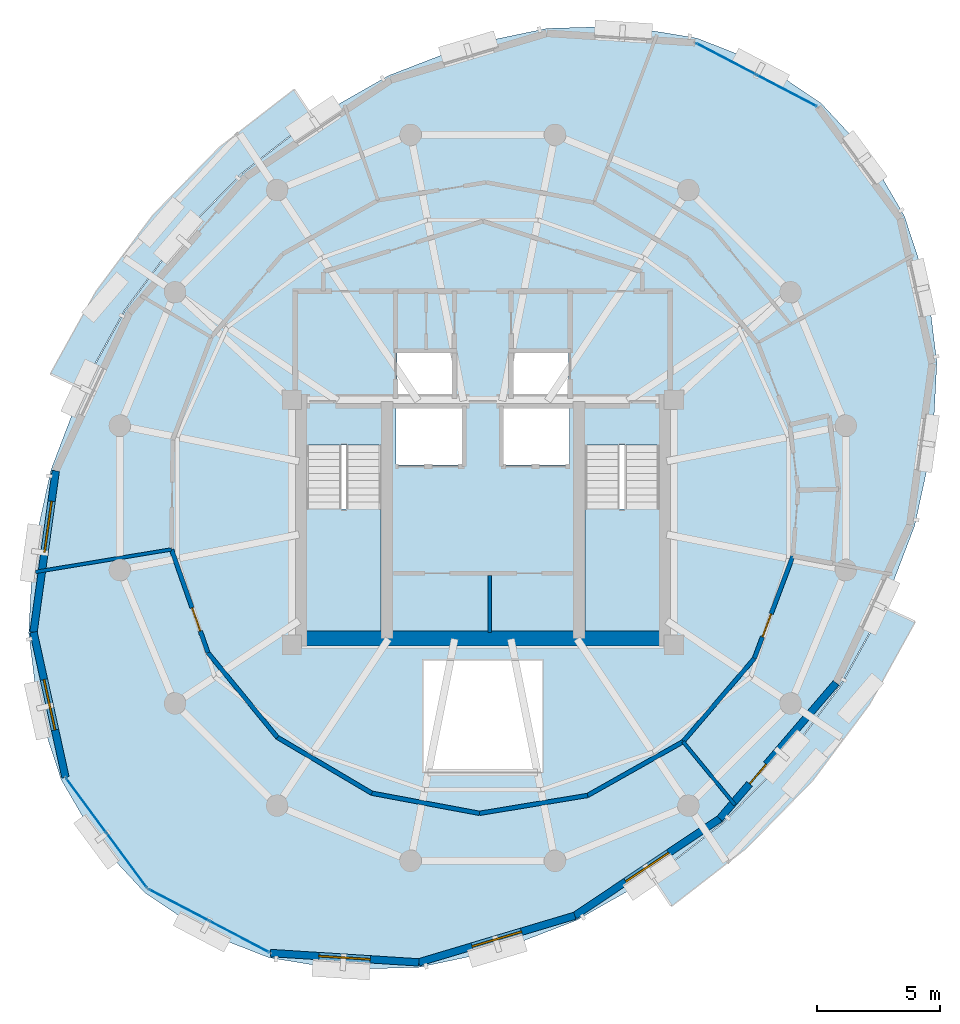
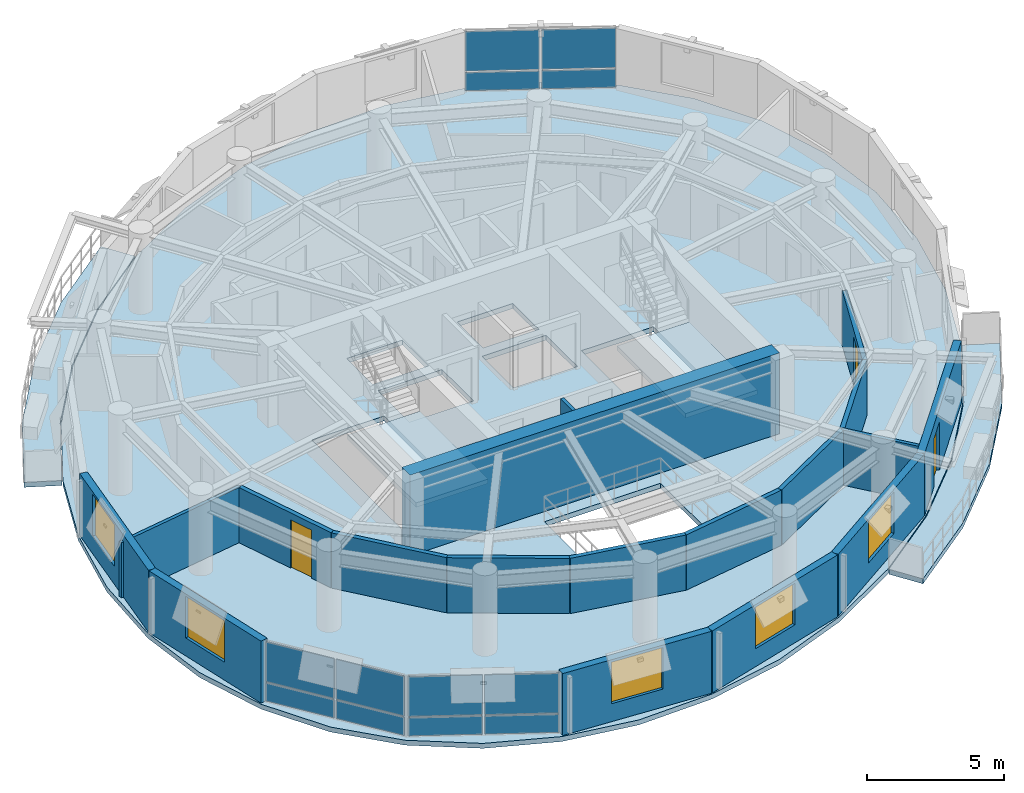
# One storey, part 6 of 11: 18 walls, 12 plates, 5 slabs, 5 windows, 3 doors, 8 openings, 5 elements without a shape of their own.
"""IFC4 building model written with IfcOpenShell, lengths in metres."""

from ifc_helpers import new_model, si_unit, direction, frame, frame_2d, origin, origin_2d, place, context, subcontext, project, spatial, polyline, rectangle, outline, extrude, material, layer, layer_set, type_object, element, fill, aggregate, save


model = new_model("IFC4")

# Units and contexts
model_context = context("Model", 3, precision=1e-05, world=origin(), true_north=direction((0.0, 1.0)))
body_context = subcontext(model_context, "Body", "Model", "MODEL_VIEW")
ifc_project = project(units=[si_unit("LENGTHUNIT", "METRE"), si_unit("AREAUNIT", "SQUARE_METRE"), si_unit("VOLUMEUNIT", "CUBIC_METRE"), si_unit("PLANEANGLEUNIT", "RADIAN"), si_unit("MASSUNIT", "GRAM", prefix="KILO"), si_unit("THERMODYNAMICTEMPERATUREUNIT", "KELVIN"), si_unit("POWERUNIT", "WATT")], contexts=[model_context])

# Site, building, storey
site_placement = place(None, origin())
site = spatial("IfcSite", under=ifc_project, at=site_placement, CompositionType="ELEMENT")
building_placement = place(site_placement, origin())
building = spatial("IfcBuilding", under=site, at=building_placement, Name="Ocrelia Relay Tower", CompositionType="ELEMENT")
storey_placement = place(building_placement, frame((0.0, 0.0, 237.60009765625)))
storey = spatial("IfcBuildingStorey", under=building, at=storey_placement, Name="L58", CompositionType="ELEMENT", Elevation=237.60009765625)

# Curtain wall, plates
ifc_material_1 = material(Name="Aluminium and solar-control low-E glass", Category="aluminium")
ifc_layer_1 = layer(ifc_material_1, 0.179931640625, Name="Aluminium and solar-control low-E glass")
ifc_layer_set_1 = layer_set([ifc_layer_1], Name="Aluminium and solar-control low-E glass")
curtain_wall_type = type_object("IfcCurtainWallType", Name="CW-SYS-Z4-EXEC", PredefinedType="NOTDEFINED", material=ifc_layer_set_1)
curtain_wall_1_placement = place(storey_placement, origin())
curtain_wall_1 = element("IfcCurtainWall", 1, at=curtain_wall_1_placement, inside=storey, type_object=curtain_wall_type, Name="L58 Elliptical Tower Curtain Wall Bay 01", PredefinedType="NOTDEFINED")
ifc_material_2 = material(Name="Clear double-glazed low-E glass", Category="glass")
ifc_layer_2 = layer(ifc_material_2, 0.031982421875, Name="Clear double-glazed low-E glass")
ifc_layer_set_2 = layer_set([ifc_layer_2], Name="Clear double-glazed low-E glass")
plate_type = type_object("IfcPlateType", Name="CW-SYS-Z4-EXEC-PNL", PredefinedType="CURTAIN_PANEL", material=ifc_layer_set_2)
plate_1_placement = place(storey_placement, frame((46.400634765625, 42.607666015625, 0.059814453125), z_axis=(0.0, 0.0, 1.0), x_axis=(-0.885822182223, 0.46402485007, 0.0)))
plate_1 = element("IfcPlate", 2, at=plate_1_placement, type_object=plate_type, Name="CW-Z4 panel 1.1", PredefinedType="CURTAIN_PANEL", context=body_context, shape_type="SweptSolid", body=[
    extrude(rectangle(XDim=2.727783203125, YDim=0.031982421875, at=origin_2d()), origin(), (0.0, 0.0, 1.0), 0.81005859375),
])
plate_2_placement = place(storey_placement, frame((46.400634765625, 42.607666015625, 0.929931640625), z_axis=(0.0, 0.0, 1.0), x_axis=(-0.885822182223, 0.46402485007, 0.0)))
plate_2 = element("IfcPlate", 3, at=plate_2_placement, type_object=plate_type, Name="CW-Z4 panel 1.2", PredefinedType="CURTAIN_PANEL", context=body_context, shape_type="SweptSolid", body=[
    extrude(rectangle(XDim=2.727783203125, YDim=0.031982421875, at=origin_2d()), origin(), (0.0, 0.0, 1.0), 1.77001953125),
])
plate_3_placement = place(storey_placement, frame((43.9267578125, 43.903564453125, 0.059814453125), z_axis=(0.0, 0.0, 1.0), x_axis=(-0.885822182223, 0.46402485007, 0.0)))
plate_3 = element("IfcPlate", 4, at=plate_3_placement, type_object=plate_type, Name="CW-Z4 panel 2.1", PredefinedType="CURTAIN_PANEL", context=body_context, shape_type="SweptSolid", body=[
    extrude(rectangle(XDim=2.727783203125, YDim=0.031982421875, at=origin_2d()), origin(), (0.0, 0.0, 1.0), 0.81005859375),
])
plate_4_placement = place(storey_placement, frame((43.9267578125, 43.903564453125, 0.929931640625), z_axis=(0.0, 0.0, 1.0), x_axis=(-0.885822182223, 0.46402485007, 0.0)))
plate_4 = element("IfcPlate", 5, at=plate_4_placement, type_object=plate_type, Name="CW-Z4 panel 2.2", PredefinedType="CURTAIN_PANEL", context=body_context, shape_type="SweptSolid", body=[
    extrude(rectangle(XDim=2.727783203125, YDim=0.031982421875, at=origin_2d()), origin(), (0.0, 0.0, 1.0), 1.77001953125),
])
aggregate(curtain_wall_1, [plate_1, plate_2, plate_3, plate_4])

curtain_wall_2_placement = place(storey_placement, origin())
curtain_wall_2 = element("IfcCurtainWall", 6, at=curtain_wall_2_placement, inside=storey, type_object=curtain_wall_type, Name="L58 Elliptical Tower Curtain Wall Bay 09", PredefinedType="NOTDEFINED")
plate_5_placement = place(storey_placement, frame((17.825927734375, 13.451171875, 0.059814453125), z_axis=(0.0, 0.0, 1.0), x_axis=(0.594079500089, -0.804406332381, 0.0)))
plate_5 = element("IfcPlate", 7, at=plate_5_placement, type_object=plate_type, Name="CW-Z4 panel 1.1", PredefinedType="CURTAIN_PANEL", context=body_context, shape_type="SweptSolid", body=[
    extrude(rectangle(XDim=2.7275390625, YDim=0.031982421875, at=origin_2d()), origin(), (0.0, 0.0, 1.0), 0.81005859375),
])
plate_6_placement = place(storey_placement, frame((17.825927734375, 13.451171875, 0.929931640625), z_axis=(0.0, 0.0, 1.0), x_axis=(0.594079500089, -0.804406332381, 0.0)))
plate_6 = element("IfcPlate", 8, at=plate_6_placement, type_object=plate_type, Name="CW-Z4 panel 1.2", PredefinedType="CURTAIN_PANEL", context=body_context, shape_type="SweptSolid", body=[
    extrude(rectangle(XDim=2.7275390625, YDim=0.031982421875, at=origin_2d()), origin(), (0.0, 0.0, 1.0), 1.77001953125),
])
plate_7_placement = place(storey_placement, frame((19.48486328125, 11.20458984375, 0.059814453125), z_axis=(0.0, 0.0, 1.0), x_axis=(0.594079500089, -0.804406332381, 0.0)))
plate_7 = element("IfcPlate", 9, at=plate_7_placement, type_object=plate_type, Name="CW-Z4 panel 2.1", PredefinedType="CURTAIN_PANEL", context=body_context, shape_type="SweptSolid", body=[
    extrude(rectangle(XDim=2.7275390625, YDim=0.031982421875, at=origin_2d()), origin(), (0.0, 0.0, 1.0), 0.81005859375),
])
plate_8_placement = place(storey_placement, frame((19.48486328125, 11.20458984375, 0.929931640625), z_axis=(0.0, 0.0, 1.0), x_axis=(0.594079500089, -0.804406332381, 0.0)))
plate_8 = element("IfcPlate", 10, at=plate_8_placement, type_object=plate_type, Name="CW-Z4 panel 2.2", PredefinedType="CURTAIN_PANEL", context=body_context, shape_type="SweptSolid", body=[
    extrude(rectangle(XDim=2.7275390625, YDim=0.031982421875, at=origin_2d()), origin(), (0.0, 0.0, 1.0), 1.77001953125),
])
aggregate(curtain_wall_2, [plate_5, plate_6, plate_7, plate_8])

curtain_wall_3_placement = place(storey_placement, origin())
curtain_wall_3 = element("IfcCurtainWall", 11, at=curtain_wall_3_placement, inside=storey, type_object=curtain_wall_type, Name="L58 Elliptical Tower Curtain Wall Bay 10", PredefinedType="NOTDEFINED")
plate_9_placement = place(storey_placement, frame((21.599365234375, 9.392333984375, 0.059814453125), z_axis=(0.0, 0.0, 1.0), x_axis=(0.885822182223, -0.46402485007, 0.0)))
plate_9 = element("IfcPlate", 12, at=plate_9_placement, type_object=plate_type, Name="CW-Z4 panel 1.1", PredefinedType="CURTAIN_PANEL", context=body_context, shape_type="SweptSolid", body=[
    extrude(rectangle(XDim=2.727783203125, YDim=0.031982421875, at=origin_2d()), origin(), (0.0, 0.0, 1.0), 0.81005859375),
])
plate_10_placement = place(storey_placement, frame((21.599365234375, 9.392333984375, 0.929931640625), z_axis=(0.0, 0.0, 1.0), x_axis=(0.885822182223, -0.46402485007, 0.0)))
plate_10 = element("IfcPlate", 13, at=plate_10_placement, type_object=plate_type, Name="CW-Z4 panel 1.2", PredefinedType="CURTAIN_PANEL", context=body_context, shape_type="SweptSolid", body=[
    extrude(rectangle(XDim=2.727783203125, YDim=0.031982421875, at=origin_2d()), origin(), (0.0, 0.0, 1.0), 1.77001953125),
])
plate_11_placement = place(storey_placement, frame((24.0732421875, 8.096435546875, 0.059814453125), z_axis=(0.0, 0.0, 1.0), x_axis=(0.885822182223, -0.46402485007, 0.0)))
plate_11 = element("IfcPlate", 14, at=plate_11_placement, type_object=plate_type, Name="CW-Z4 panel 2.1", PredefinedType="CURTAIN_PANEL", context=body_context, shape_type="SweptSolid", body=[
    extrude(rectangle(XDim=2.727783203125, YDim=0.031982421875, at=origin_2d()), origin(), (0.0, 0.0, 1.0), 0.81005859375),
])
plate_12_placement = place(storey_placement, frame((24.0732421875, 8.096435546875, 0.929931640625), z_axis=(0.0, 0.0, 1.0), x_axis=(0.885822182223, -0.46402485007, 0.0)))
plate_12 = element("IfcPlate", 15, at=plate_12_placement, type_object=plate_type, Name="CW-Z4 panel 2.2", PredefinedType="CURTAIN_PANEL", context=body_context, shape_type="SweptSolid", body=[
    extrude(rectangle(XDim=2.727783203125, YDim=0.031982421875, at=origin_2d()), origin(), (0.0, 0.0, 1.0), 1.77001953125),
])
aggregate(curtain_wall_3, [plate_9, plate_10, plate_11, plate_12])

# Slabs
ifc_material_3 = material(Name="Precast concrete C40/50", Category="concrete")
ifc_layer_3 = layer(ifc_material_3, 0.219970703125, Name="Precast concrete C40/50")
ifc_layer_set_3 = layer_set([ifc_layer_3], Name="Precast concrete C40/50")
slab_type_1 = type_object("IfcSlabType", Name="SL-BALC-220", PredefinedType="FLOOR", material=ifc_layer_set_3)
slab_1_placement = place(storey_placement, frame((0.0, 0.0, -0.22021484375)))
element("IfcSlab", 16, at=slab_1_placement, inside=storey, type_object=slab_type_1, Name="L58 Planted Loggia Balcony B1", PredefinedType="FLOOR", context=body_context, shape_type="SweptSolid", body=[
    extrude(outline(polyline([(27.072265625, 41.498291015625), (25.6298828125, 40.381103515625), (24.1875, 39.26416015625), (21.60107421875, 36.627197265625), (19.390869140625, 33.66748046875), (18.507568359375, 32.0712890625), (17.624267578125, 30.475341796875), (16.360595703125, 31.0625), (17.29052734375, 32.742919921875), (18.220703125, 34.423583984375), (20.543212890625, 37.53369140625), (23.26171875, 40.304931640625), (24.780029296875, 41.481201171875), (26.298583984375, 42.6572265625), (27.072265625, 41.498291015625)])), origin(), (0.0, 0.0, 1.0), 0.22021484375),
])
slab_2_placement = place(storey_placement, frame((0.0, 0.0, -0.22021484375)))
element("IfcSlab", 17, at=slab_2_placement, inside=storey, type_object=slab_type_1, Name="L58 Planted Loggia Balcony B2", PredefinedType="FLOOR", context=body_context, shape_type="SweptSolid", body=[
    extrude(outline(polyline([(40.927734375, 10.501708984375), (42.3701171875, 11.618896484375), (43.8125, 12.73583984375), (46.39892578125, 15.372802734375), (48.609130859375, 18.33251953125), (49.492431640625, 19.9287109375), (50.375732421875, 21.524658203125), (51.639404296875, 20.9375), (50.70947265625, 19.257080078125), (49.779296875, 17.576416015625), (47.456787109375, 14.46630859375), (44.73828125, 11.695068359375), (43.219970703125, 10.518798828125), (41.701416015625, 9.3427734375), (40.927734375, 10.501708984375)])), origin(), (0.0, 0.0, 1.0), 0.22021484375),
])
ifc_material_4 = material(Name="Concrete C50/60", Category="concrete")
ifc_layer_4 = layer(ifc_material_4, 0.219970703125, Name="Concrete C50/60")
ifc_layer_set_4 = layer_set([ifc_layer_4], Name="Concrete C50/60")
slab_type_2 = type_object("IfcSlabType", Name="SL-FLR-220", PredefinedType="FLOOR", material=ifc_layer_set_4)
slab_3_placement = place(storey_placement, frame((0.0, 0.0, -0.22021484375)))
element("IfcSlab", 18, at=slab_3_placement, inside=storey, type_object=slab_type_2, Name="L58 Elliptical Tower Floor Slab", PredefinedType="FLOOR", context=body_context, shape_type="SweptSolid", body=[
    extrude(outline(polyline([(47.79638671875, 42.0966796875), (45.437744140625, 43.694091796875), (42.7314453125, 44.75390625), (39.760009765625, 45.243896484375), (36.61328125, 45.149169921875), (33.387451171875, 44.47265625), (30.18017578125, 43.234619140625), (27.0888671875, 41.47314453125), (24.20751953125, 39.24169921875), (21.623779296875, 36.607666015625), (19.416259765625, 33.6513671875), (17.651611328125, 30.462646484375), (16.3837890625, 27.13818359375), (15.651123046875, 23.779296875), (15.47607421875, 20.48779296875), (15.864013671875, 17.36376953125), (16.802734375, 14.502197265625), (18.26416015625, 11.989990234375), (20.20361328125, 9.9033203125), (22.562255859375, 8.305908203125), (25.2685546875, 7.24609375), (28.239990234375, 6.756103515625), (31.38671875, 6.850830078125), (34.612548828125, 7.52734375), (37.81982421875, 8.765380859375), (40.9111328125, 10.52685546875), (43.79248046875, 12.75830078125), (46.376220703125, 15.392333984375), (48.583740234375, 18.3486328125), (50.348388671875, 21.537353515625), (51.6162109375, 24.86181640625), (52.348876953125, 28.220703125), (52.52392578125, 31.51220703125), (52.135986328125, 34.63623046875), (51.197265625, 37.497802734375), (49.73583984375, 40.010009765625), (47.79638671875, 42.0966796875)]), holes=[polyline([(26.81005859375, 28.14990234375), (26.81005859375, 20.550048828125), (29.85009765625, 20.550048828125), (29.85009765625, 28.14990234375), (26.81005859375, 28.14990234375)]), polyline([(38.159912109375, 28.14990234375), (38.159912109375, 20.550048828125), (41.199951171875, 20.550048828125), (41.199951171875, 28.14990234375), (38.159912109375, 28.14990234375)]), polyline([(30.4599609375, 27.35009765625), (33.159912109375, 27.35009765625), (33.159912109375, 29.64990234375), (30.4599609375, 29.64990234375), (30.4599609375, 27.35009765625)]), polyline([(34.840087890625, 27.35009765625), (37.5400390625, 27.35009765625), (37.5400390625, 29.64990234375), (34.840087890625, 29.64990234375), (34.840087890625, 27.35009765625)]), polyline([(30.5, 30.10009765625), (32.85009765625, 30.10009765625), (32.85009765625, 32.0), (30.5, 32.0), (30.5, 30.10009765625)]), polyline([(35.14990234375, 30.10009765625), (37.5, 30.10009765625), (37.5, 32.0), (35.14990234375, 32.0), (35.14990234375, 30.10009765625)]), polyline([(31.550048828125, 14.800048828125), (36.449951171875, 14.800048828125), (36.449951171875, 19.39990234375), (31.550048828125, 19.39990234375), (31.550048828125, 14.800048828125)])]), origin(), (0.0, 0.0, 1.0), 0.22021484375),
])

# Stair, slab
stair_type = type_object("IfcStairType", Name="ST-DL-1420-R180", PredefinedType="HALF_TURN_STAIR", material=ifc_material_4)
stair_1_placement = place(storey_placement, origin())
stair_1 = element("IfcStair", 19, at=stair_1_placement, inside=storey, type_object=stair_type, Name="L58 West Core Exit Stair ST1", PredefinedType="HALF_TURN_STAIR")
ifc_layer_5 = layer(ifc_material_4, 0.199951171875, Name="Concrete C50/60")
ifc_layer_set_5 = layer_set([ifc_layer_5], Name="Concrete C50/60")
slab_type_3 = type_object("IfcSlabType", Name="SL-LANDING-200", PredefinedType="LANDING", material=ifc_layer_set_5)
slab_4_placement = place(storey_placement, frame((0.0, 0.0, 1.599853515625)))
slab_4 = element("IfcSlab", 20, at=slab_4_placement, type_object=slab_type_3, Name="ST1 landing 1", PredefinedType="LANDING", context=body_context, shape_type="SweptSolid", body=[
    extrude(outline(polyline([(26.81005859375, 25.5400390625), (26.81005859375, 20.550048828125), (29.85009765625, 20.550048828125), (29.85009765625, 25.5400390625), (26.81005859375, 25.5400390625)])), origin(), (0.0, 0.0, 1.0), 0.199951171875),
])
aggregate(stair_1, [slab_4])

stair_2_placement = place(storey_placement, origin())
stair_2 = element("IfcStair", 21, at=stair_2_placement, inside=storey, type_object=stair_type, Name="L58 East Core Exit Stair ST2", PredefinedType="HALF_TURN_STAIR")
slab_5_placement = place(storey_placement, frame((0.0, 0.0, 1.599853515625)))
slab_5 = element("IfcSlab", 22, at=slab_5_placement, type_object=slab_type_3, Name="ST2 landing 1", PredefinedType="LANDING", context=body_context, shape_type="SweptSolid", body=[
    extrude(outline(polyline([(38.159912109375, 25.5400390625), (38.159912109375, 20.550048828125), (41.199951171875, 20.550048828125), (41.199951171875, 25.5400390625), (38.159912109375, 25.5400390625)])), origin(), (0.0, 0.0, 1.0), 0.199951171875),
])
aggregate(stair_2, [slab_5])

# Wall
ifc_layer_6 = layer(ifc_material_4, 0.60009765625, Name="Concrete C50/60")
ifc_layer_set_6 = layer_set([ifc_layer_6], Name="Concrete C50/60")
wall_type_1 = type_object("IfcWallType", Name="CW-CORE-600B", PredefinedType="SHEAR", material=ifc_layer_set_6)
wall_1_placement = place(storey_placement, frame((26.221923828125, 20.261962890625, 0.0), z_axis=(0.0, 0.0, 1.0), x_axis=(1.0, 0.0, 0.0)))
element("IfcWall", 23, at=wall_1_placement, inside=storey, type_object=wall_type_1, Name="L58 Core Shear Wall S", PredefinedType="SHEAR", context=body_context, shape_type="SweptSolid", body=[
    extrude(rectangle(XDim=15.566162109375, YDim=0.60009765625, at=frame_2d((7.783203125, 0.0))), origin(), (0.0, 0.0, 1.0), 3.599853515625),
])

# Wall, opening, door
ifc_material_5 = material(Name="Gypsum Fireboard Partition EI60", Category="gypsum")
ifc_layer_7 = layer(ifc_material_5, 0.179931640625, Name="Gypsum Fireboard Partition EI60")
ifc_layer_set_7 = layer_set([ifc_layer_7], Name="Gypsum Fireboard Partition EI60")
wall_type_2 = type_object("IfcWallType", Name="W-CORR-EI60-180", PredefinedType="PARTITIONING", material=ifc_layer_set_7)
wall_2_placement = place(storey_placement, frame((21.302734375, 23.89794921875, 0.0), z_axis=(0.0, 0.0, 1.0), x_axis=(0.332208621894, -0.943205932731, 0.0)))
wall_2 = element("IfcWall", 24, at=wall_2_placement, inside=storey, type_object=wall_type_2, Name="L58 International Office F Corridor Partition 1", PredefinedType="PARTITIONING", context=body_context, shape_type="SweptSolid", body=[
    extrude(rectangle(XDim=4.4697265625, YDim=0.179931640625, at=frame_2d((2.23486328125, 0.0))), origin(), (0.0, 0.0, 1.0), 2.4599609375),
])
opening_1_placement = place(wall_2_placement, frame((2.52734375, 0.0, 0.0)))
opening_1 = element("IfcOpeningElement", 25, at=opening_1_placement, cuts=wall_2, Name="Opening D-RM100", PredefinedType="OPENING", context=body_context, shape_type="SweptSolid", body=[
    extrude(rectangle(XDim=1.0, YDim=2.14990234375, at=frame_2d((0.5, 1.074951171875))), frame((0.0, 0.10009765625, 0.0), z_axis=(0.0, -1.0, 0.0), x_axis=(1.0, 0.0, 0.0)), (0.0, 0.0, 1.0), 0.199951171875),
])
ifc_material_6 = material(Name="Acoustic oak veneer fire door", Category="wood")
door_type_1 = type_object("IfcDoorType", Name="DR-ROOM-FD60-1000", OperationType="NOTDEFINED", PredefinedType="DOOR", material=ifc_material_6)
door_1_placement = place(opening_1_placement, origin())
door_1 = element("IfcDoor", 26, at=door_1_placement, inside=storey, type_object=door_type_1, Name="L58 International Office F Entrance Door", OperationType="SINGLE_SWING_LEFT", OverallHeight=2.14990234375, OverallWidth=1.0, PredefinedType="DOOR", context=body_context, shape_type="SweptSolid", body=[
    extrude(rectangle(XDim=1.0, YDim=2.14990234375, at=frame_2d((0.5, 1.074951171875))), frame((0.0, 0.02490234375, 0.0), z_axis=(0.0, -1.0, 0.0), x_axis=(1.0, 0.0, 0.0)), (0.0, 0.0, 1.0), 0.050048828125),
])
fill(opening_1, door_1)

# Walls
wall_3_placement = place(storey_placement, frame((22.78759765625, 19.68212890625, 0.0), z_axis=(0.0, 0.0, 1.0), x_axis=(0.634714961422, -0.772746347611, 0.0)))
element("IfcWall", 27, at=wall_3_placement, inside=storey, type_object=wall_type_2, Name="L58 International Office F Corridor Partition 2", PredefinedType="PARTITIONING", context=body_context, shape_type="SweptSolid", body=[
    extrude(rectangle(XDim=4.469482421875, YDim=0.179931640625, at=frame_2d((2.23486328125, 0.0))), origin(), (0.0, 0.0, 1.0), 2.4599609375),
])
for number, where, z_axis, x_axis, name in (
    (28, (25.62451171875, 16.228271484375, 0.0), (0.0, 0.0, 1.0), (0.860724202021, -0.509071554946, 0.0), "L58 International Office F Corridor Partition 3"),
    (29, (29.4716796875, 13.952880859375, 0.0), (0.0, 0.0, 1.0), (0.982933965097, -0.183958746079, 0.0), "L58 International Office F Corridor Partition 4"),
    (30, (33.865234375, 13.130615234375, 0.0), (0.0, 0.0, 1.0), (0.986573435215, 0.163318268813, 0.0), "L58 International Office F Corridor Partition 5"),
    (31, (38.27490234375, 13.860595703125, 0.0), (0.0, 0.0, 1.0), (0.871198932887, 0.490930157291, 0.0), "L58 International Office F Corridor Partition 6"),
):
    element("IfcWall", number, at=place(storey_placement, frame(where, z_axis=z_axis, x_axis=x_axis)), inside=storey, type_object=wall_type_2, Name=name, PredefinedType="PARTITIONING", context=body_context, shape_type="SweptSolid", body=[
        extrude(rectangle(XDim=4.4697265625, YDim=0.179931640625, at=frame_2d((2.23486328125, 0.0))), origin(), (0.0, 0.0, 1.0), 2.4599609375),
    ])
wall_4_placement = place(storey_placement, frame((42.1689453125, 16.054931640625, 0.0), z_axis=(0.0, 0.0, 1.0), x_axis=(0.650782376626, 0.759264313841, 0.0)))
element("IfcWall", 32, at=wall_4_placement, inside=storey, type_object=wall_type_2, Name="L58 Hospitality Servery Pantry Corridor Partition 1", PredefinedType="PARTITIONING", context=body_context, shape_type="SweptSolid", body=[
    extrude(rectangle(XDim=4.469482421875, YDim=0.179931640625, at=frame_2d((2.23486328125, 0.0))), origin(), (0.0, 0.0, 1.0), 2.4599609375),
])

# Wall, opening, door
wall_5_placement = place(storey_placement, frame((45.07763671875, 19.448486328125, 0.0), z_axis=(0.0, 0.0, 1.0), x_axis=(0.351853579162, 0.936055051175, 0.0)))
wall_5 = element("IfcWall", 33, at=wall_5_placement, inside=storey, type_object=wall_type_2, Name="L58 Hospitality Servery Pantry Corridor Partition 2", PredefinedType="PARTITIONING", context=body_context, shape_type="SweptSolid", body=[
    extrude(rectangle(XDim=4.469970703125, YDim=0.179931640625, at=frame_2d((2.23486328125, 0.0))), origin(), (0.0, 0.0, 1.0), 2.4599609375),
])
opening_2_placement = place(wall_5_placement, frame((0.9423828125, 0.0, 0.0)))
opening_2 = element("IfcOpeningElement", 34, at=opening_2_placement, cuts=wall_5, Name="Opening D-RM100", PredefinedType="OPENING", context=body_context, shape_type="SweptSolid", body=[
    extrude(rectangle(XDim=1.0, YDim=2.14990234375, at=frame_2d((0.5, 1.074951171875))), frame((0.0, 0.10009765625, 0.0), z_axis=(0.0, -1.0, 0.0), x_axis=(1.0, 0.0, 0.0)), (0.0, 0.0, 1.0), 0.199951171875),
])
door_2_placement = place(opening_2_placement, origin())
door_2 = element("IfcDoor", 35, at=door_2_placement, inside=storey, type_object=door_type_1, Name="L58 Hospitality Servery Pantry Entrance Door", OperationType="SINGLE_SWING_RIGHT", OverallHeight=2.14990234375, OverallWidth=1.0, PredefinedType="DOOR", context=body_context, shape_type="SweptSolid", body=[
    extrude(rectangle(XDim=1.0, YDim=2.14990234375, at=frame_2d((0.5, 1.074951171875))), frame((0.0, 0.02490234375, 0.0), z_axis=(0.0, -1.0, 0.0), x_axis=(1.0, 0.0, 0.0)), (0.0, 0.0, 1.0), 0.050048828125),
])
fill(opening_2, door_2)

# Wall, opening, window
ifc_material_7 = material(Name="Precast concrete C40/50 with oxide terracotta", Category="masonry")
ifc_layer_8 = layer(ifc_material_7, 0.300048828125, Name="Precast concrete C40/50 with oxide terracotta")
ifc_layer_set_8 = layer_set([ifc_layer_8], Name="Precast concrete C40/50 with oxide terracotta")
wall_type_3 = type_object("IfcWallType", Name="W-EXT-TERR-300", PredefinedType="SOLIDWALL", material=ifc_layer_set_8)
wall_6_placement = place(storey_placement, frame((16.580322265625, 27.101318359375, 0.0), z_axis=(0.0, 0.0, 1.0), x_axis=(-0.136531687657, -0.990635704114, 0.0)))
wall_6 = element("IfcWall", 36, at=wall_6_placement, inside=storey, type_object=wall_type_3, Name="L58 Oxide Terracotta Facade Wall 07", PredefinedType="SOLIDWALL", context=body_context, shape_type="SweptSolid", body=[
    extrude(rectangle(XDim=6.64306640625, YDim=0.300048828125, at=frame_2d((3.321533203125, 0.0))), origin(), (0.0, 0.0, 1.0), 2.760009765625),
])
opening_3_placement = place(wall_6_placement, frame((1.251953125, 0.0, 0.800048828125)))
opening_3 = element("IfcOpeningElement", 37, at=opening_3_placement, cuts=wall_6, Name="Opening W-07", PredefinedType="OPENING", context=body_context, shape_type="SweptSolid", body=[
    extrude(rectangle(XDim=2.10009765625, YDim=1.85009765625, at=frame_2d((1.050048828125, 0.925048828125))), frame((0.0, 0.16015625, 0.0), z_axis=(0.0, -1.0, 0.0), x_axis=(1.0, 0.0, 0.0)), (0.0, 0.0, 1.0), 0.320068359375),
])
window_type = type_object("IfcWindowType", Name="WIN-Z4-2100x2200", PartitioningType="DOUBLE_PANEL_VERTICAL", PredefinedType="WINDOW", material=ifc_material_2)
window_1_placement = place(opening_3_placement, origin())
window_1 = element("IfcWindow", 38, at=window_1_placement, inside=storey, type_object=window_type, Name="L58 Facade Module Window 07", OverallHeight=1.85009765625, OverallWidth=2.10009765625, PartitioningType="SINGLE_PANEL", PredefinedType="WINDOW", context=body_context, shape_type="SweptSolid", body=[
    extrude(rectangle(XDim=2.10009765625, YDim=1.85009765625, at=frame_2d((1.050048828125, 0.925048828125))), frame((0.0, 0.030029296875, 0.0), z_axis=(0.0, -1.0, 0.0), x_axis=(1.0, 0.0, 0.0)), (0.0, 0.0, 1.0), 0.06005859375),
])
fill(opening_3, window_1)

wall_7_placement = place(storey_placement, frame((15.67333984375, 20.5205078125, 0.0), z_axis=(0.0, 0.0, 1.0), x_axis=(0.215062302222, -0.976600330823, 0.0)))
wall_7 = element("IfcWall", 39, at=wall_7_placement, inside=storey, type_object=wall_type_3, Name="L58 Oxide Terracotta Facade Wall 08", PredefinedType="SOLIDWALL", context=body_context, shape_type="SweptSolid", body=[
    extrude(rectangle(XDim=6.06201171875, YDim=0.300048828125, at=frame_2d((3.031005859375, 0.0))), origin(), (0.0, 0.0, 1.0), 2.760009765625),
])
opening_4_placement = place(wall_7_placement, frame((1.98095703125, 0.0, 0.800048828125)))
opening_4 = element("IfcOpeningElement", 40, at=opening_4_placement, cuts=wall_7, Name="Opening W-07", PredefinedType="OPENING", context=body_context, shape_type="SweptSolid", body=[
    extrude(rectangle(XDim=2.10009765625, YDim=1.85009765625, at=frame_2d((1.050048828125, 0.925048828125))), frame((0.0, 0.16015625, 0.0), z_axis=(0.0, -1.0, 0.0), x_axis=(1.0, 0.0, 0.0)), (0.0, 0.0, 1.0), 0.320068359375),
])
window_2_placement = place(opening_4_placement, origin())
window_2 = element("IfcWindow", 41, at=window_2_placement, inside=storey, type_object=window_type, Name="L58 Facade Module Window 08", OverallHeight=1.85009765625, OverallWidth=2.10009765625, PartitioningType="SINGLE_PANEL", PredefinedType="WINDOW", context=body_context, shape_type="SweptSolid", body=[
    extrude(rectangle(XDim=2.10009765625, YDim=1.85009765625, at=frame_2d((1.050048828125, 0.925048828125))), frame((0.0, 0.030029296875, 0.0), z_axis=(0.0, -1.0, 0.0), x_axis=(1.0, 0.0, 0.0)), (0.0, 0.0, 1.0), 0.06005859375),
])
fill(opening_4, window_2)

wall_8_placement = place(storey_placement, frame((25.3388671875, 7.433349609375, 0.0), z_axis=(0.0, 0.0, 1.0), x_axis=(0.998006550378, -0.063110422294, 0.0)))
wall_8 = element("IfcWall", 42, at=wall_8_placement, inside=storey, type_object=wall_type_3, Name="L58 Oxide Terracotta Facade Wall 11", PredefinedType="SOLIDWALL", context=body_context, shape_type="SweptSolid", body=[
    extrude(rectangle(XDim=6.061767578125, YDim=0.300048828125, at=frame_2d((3.03076171875, 0.0))), origin(), (0.0, 0.0, 1.0), 2.760009765625),
])
opening_5_placement = place(wall_8_placement, frame((1.98095703125, 0.0, 0.800048828125)))
opening_5 = element("IfcOpeningElement", 43, at=opening_5_placement, cuts=wall_8, Name="Opening W-07", PredefinedType="OPENING", context=body_context, shape_type="SweptSolid", body=[
    extrude(rectangle(XDim=2.10009765625, YDim=1.85009765625, at=frame_2d((1.050048828125, 0.925048828125))), frame((0.0, 0.16015625, 0.0), z_axis=(0.0, -1.0, 0.0), x_axis=(1.0, 0.0, 0.0)), (0.0, 0.0, 1.0), 0.320068359375),
])
window_3_placement = place(opening_5_placement, origin())
window_3 = element("IfcWindow", 44, at=window_3_placement, inside=storey, type_object=window_type, Name="L58 Facade Module Window 11", OverallHeight=1.85009765625, OverallWidth=2.10009765625, PartitioningType="SINGLE_PANEL", PredefinedType="WINDOW", context=body_context, shape_type="SweptSolid", body=[
    extrude(rectangle(XDim=2.10009765625, YDim=1.85009765625, at=frame_2d((1.050048828125, 0.925048828125))), frame((0.0, 0.030029296875, 0.0), z_axis=(0.0, -1.0, 0.0), x_axis=(1.0, 0.0, 0.0)), (0.0, 0.0, 1.0), 0.06005859375),
])
fill(opening_5, window_3)

wall_9_placement = place(storey_placement, frame((31.388671875, 7.05078125, 0.0), z_axis=(0.0, 0.0, 1.0), x_axis=(0.958088870216, 0.286471144739, 0.0)))
wall_9 = element("IfcWall", 45, at=wall_9_placement, inside=storey, type_object=wall_type_3, Name="L58 Oxide Terracotta Facade Wall 12", PredefinedType="SOLIDWALL", context=body_context, shape_type="SweptSolid", body=[
    extrude(rectangle(XDim=6.64306640625, YDim=0.300048828125, at=frame_2d((3.321533203125, 0.0))), origin(), (0.0, 0.0, 1.0), 2.760009765625),
])
opening_6_placement = place(wall_9_placement, frame((2.27197265625, 0.0, 0.800048828125)))
opening_6 = element("IfcOpeningElement", 46, at=opening_6_placement, cuts=wall_9, Name="Opening W-07", PredefinedType="OPENING", context=body_context, shape_type="SweptSolid", body=[
    extrude(rectangle(XDim=2.10009765625, YDim=1.85009765625, at=frame_2d((1.050048828125, 0.925048828125))), frame((0.0, 0.16015625, 0.0), z_axis=(0.0, -1.0, 0.0), x_axis=(1.0, 0.0, 0.0)), (0.0, 0.0, 1.0), 0.320068359375),
])
window_4_placement = place(opening_6_placement, origin())
window_4 = element("IfcWindow", 47, at=window_4_placement, inside=storey, type_object=window_type, Name="L58 Facade Module Window 12", OverallHeight=1.85009765625, OverallWidth=2.10009765625, PartitioningType="SINGLE_PANEL", PredefinedType="WINDOW", context=body_context, shape_type="SweptSolid", body=[
    extrude(rectangle(XDim=2.10009765625, YDim=1.85009765625, at=frame_2d((1.050048828125, 0.925048828125))), frame((0.0, 0.030029296875, 0.0), z_axis=(0.0, -1.0, 0.0), x_axis=(1.0, 0.0, 0.0)), (0.0, 0.0, 1.0), 0.06005859375),
])
fill(opening_6, window_4)

wall_10_placement = place(storey_placement, frame((37.75341796875, 8.953857421875, 0.0), z_axis=(0.0, 0.0, 1.0), x_axis=(0.830897686813, 0.556425227725, 0.0)))
wall_10 = element("IfcWall", 48, at=wall_10_placement, inside=storey, type_object=wall_type_3, Name="L58 Oxide Terracotta Facade Wall 13", PredefinedType="SOLIDWALL", context=body_context, shape_type="SweptSolid", body=[
    extrude(rectangle(XDim=7.114990234375, YDim=0.300048828125, at=frame_2d((3.5576171875, 0.0))), origin(), (0.0, 0.0, 1.0), 2.760009765625),
])
opening_7_placement = place(wall_10_placement, frame((2.508056640625, 0.0, 0.800048828125)))
opening_7 = element("IfcOpeningElement", 49, at=opening_7_placement, cuts=wall_10, Name="Opening W-07", PredefinedType="OPENING", context=body_context, shape_type="SweptSolid", body=[
    extrude(rectangle(XDim=2.10009765625, YDim=1.85009765625, at=frame_2d((1.050048828125, 0.925048828125))), frame((0.0, 0.16015625, 0.0), z_axis=(0.0, -1.0, 0.0), x_axis=(1.0, 0.0, 0.0)), (0.0, 0.0, 1.0), 0.320068359375),
])
window_5_placement = place(opening_7_placement, origin())
window_5 = element("IfcWindow", 50, at=window_5_placement, inside=storey, type_object=window_type, Name="L58 Facade Module Window 13", OverallHeight=1.85009765625, OverallWidth=2.10009765625, PartitioningType="SINGLE_PANEL", PredefinedType="WINDOW", context=body_context, shape_type="SweptSolid", body=[
    extrude(rectangle(XDim=2.10009765625, YDim=1.85009765625, at=frame_2d((1.050048828125, 0.925048828125))), frame((0.0, 0.030029296875, 0.0), z_axis=(0.0, -1.0, 0.0), x_axis=(1.0, 0.0, 0.0)), (0.0, 0.0, 1.0), 0.06005859375),
])
fill(opening_7, window_5)

# Wall, opening, door
wall_11_placement = place(storey_placement, frame((43.665283203125, 12.912841796875, 0.0), z_axis=(0.0, 0.0, 1.0), x_axis=(0.650777589735, 0.759268416767, 0.0)))
wall_11 = element("IfcWall", 51, at=wall_11_placement, inside=storey, type_object=wall_type_3, Name="L58 Oxide Terracotta Facade Wall 14", PredefinedType="SOLIDWALL", context=body_context, shape_type="SweptSolid", body=[
    extrude(rectangle(XDim=7.293212890625, YDim=0.300048828125, at=frame_2d((3.646484375, 0.0))), origin(), (0.0, 0.0, 1.0), 2.760009765625),
])
opening_8_placement = place(wall_11_placement, frame((1.8701171875, 0.0, 0.0)))
opening_8 = element("IfcOpeningElement", 52, at=opening_8_placement, cuts=wall_11, Name="Opening DB-105", PredefinedType="OPENING", context=body_context, shape_type="SweptSolid", body=[
    extrude(rectangle(XDim=1.050048828125, YDim=2.14990234375, at=frame_2d((0.52490234375, 1.074951171875))), frame((0.0, 0.16015625, 0.0), z_axis=(0.0, -1.0, 0.0), x_axis=(1.0, 0.0, 0.0)), (0.0, 0.0, 1.0), 0.320068359375),
])
ifc_material_8 = material(Name="Thermally broken aluminium and clear glass", Category="aluminium")
door_type_2 = type_object("IfcDoorType", Name="DR-BALC-1050", OperationType="NOTDEFINED", PredefinedType="DOOR", material=ifc_material_8)
door_3_placement = place(opening_8_placement, origin())
door_3 = element("IfcDoor", 53, at=door_3_placement, inside=storey, type_object=door_type_2, Name="L58 Planted Loggia Balcony Door B2", OperationType="SINGLE_SWING_LEFT", OverallHeight=2.14990234375, OverallWidth=1.050048828125, PredefinedType="DOOR", context=body_context, shape_type="SweptSolid", body=[
    extrude(rectangle(XDim=1.050048828125, YDim=2.14990234375, at=frame_2d((0.52490234375, 1.074951171875))), frame((0.0, 0.02490234375, 0.0), z_axis=(0.0, -1.0, 0.0), x_axis=(1.0, 0.0, 0.0)), (0.0, 0.0, 1.0), 0.050048828125),
])
fill(opening_8, door_3)

# Walls
ifc_material_9 = material(Name="Acoustic Fireboard Partition EI60", Category="gypsum")
ifc_layer_9 = layer(ifc_material_9, 0.139892578125, Name="Acoustic Fireboard Partition EI60")
ifc_layer_set_9 = layer_set([ifc_layer_9], Name="Acoustic Fireboard Partition EI60")
wall_type_4 = type_object("IfcWallType", Name="W-PART-140", PredefinedType="PARTITIONING", material=ifc_layer_set_9)
wall_12_placement = place(storey_placement, frame((21.302734375, 23.89794921875, 0.0), z_axis=(0.0, 0.0, 1.0), x_axis=(-0.986575267792, -0.163307198191, 0.0)))
element("IfcWall", 54, at=wall_12_placement, inside=storey, type_object=wall_type_4, Name="L58 Strategy Office E Radial Partition", PredefinedType="PARTITIONING", context=body_context, shape_type="SweptSolid", body=[
    extrude(rectangle(XDim=5.62109375, YDim=0.139892578125, at=frame_2d((2.810546875, 0.0))), origin(), (0.0, 0.0, 1.0), 2.4599609375),
])
wall_13_placement = place(storey_placement, frame((42.1689453125, 16.054931640625, 0.0), z_axis=(0.0, 0.0, 1.0), x_axis=(0.634725356181, -0.772737809494, 0.0)))
element("IfcWall", 55, at=wall_13_placement, inside=storey, type_object=wall_type_4, Name="L58 International Office F Radial Partition", PredefinedType="PARTITIONING", context=body_context, shape_type="SweptSolid", body=[
    extrude(rectangle(XDim=3.3310546875, YDim=0.139892578125, at=frame_2d((1.66552734375, 0.0))), origin(), (0.0, 0.0, 1.0), 2.4599609375),
])
ifc_layer_10 = layer(ifc_material_9, 0.14990234375, Name="Acoustic Fireboard Partition EI60")
ifc_layer_set_10 = layer_set([ifc_layer_10], Name="Acoustic Fireboard Partition EI60")
wall_type_5 = type_object("IfcWallType", Name="W-PART-150", PredefinedType="PARTITIONING", material=ifc_layer_set_10)
wall_14_placement = place(storey_placement, frame((34.2900390625, 20.5, 0.0), z_axis=(0.0, 0.0, 1.0), x_axis=(0.0, 1.0, 0.0)))
element("IfcWall", 56, at=wall_14_placement, inside=storey, type_object=wall_type_5, Name="L58 Reclaimed Core Dividing Wall", PredefinedType="PARTITIONING", context=body_context, shape_type="SweptSolid", body=[
    extrude(rectangle(XDim=2.340087890625, YDim=0.14990234375, at=frame_2d((1.169921875, 0.0))), origin(), (0.0, 0.0, 1.0), 2.4599609375),
])

save(model, "model.ifc")
